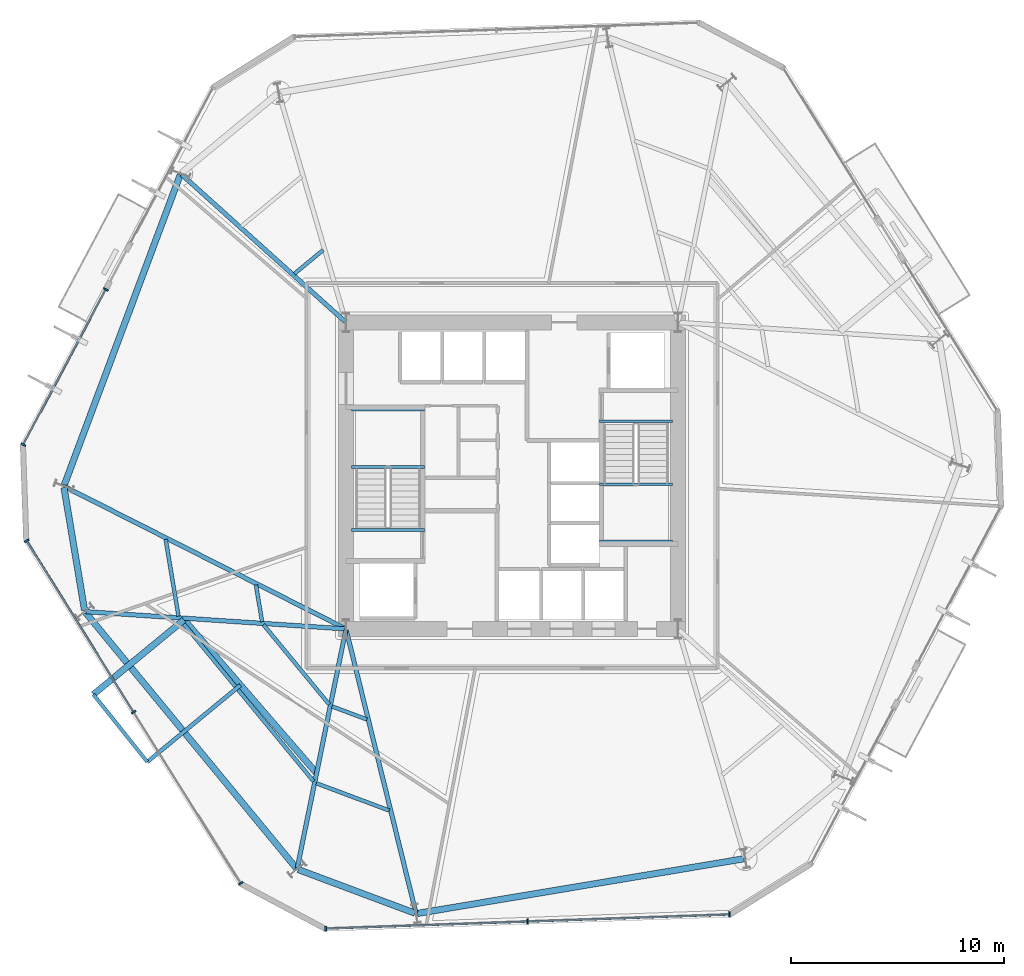
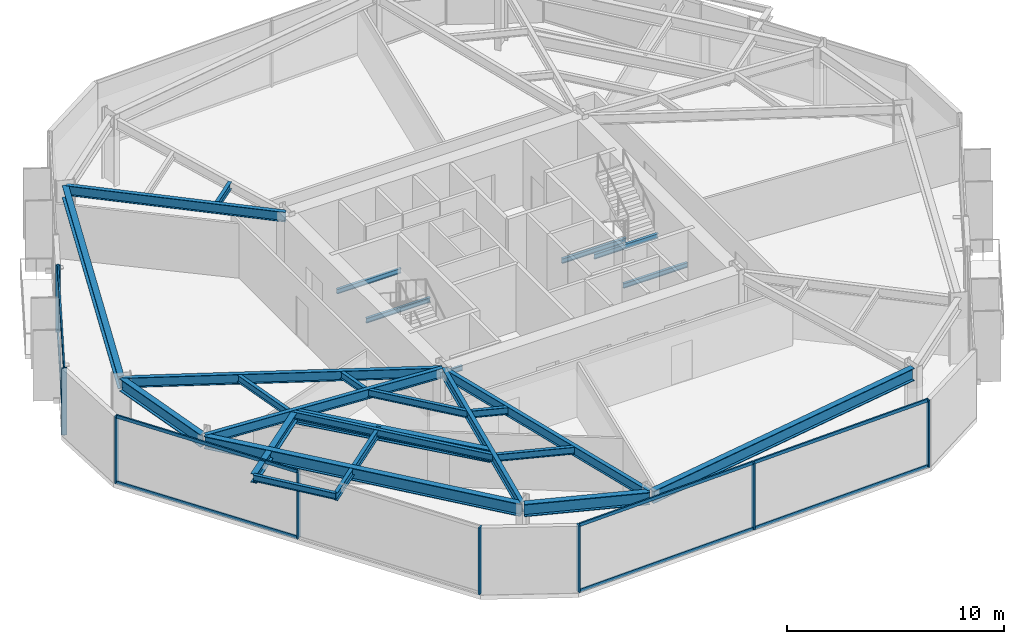
# One storey, part 2 of 10: 27 beams, 16 members, 3 elements without a shape of their own.
"""IFC4 building model written with IfcOpenShell, lengths in metres."""

from ifc_helpers import new_model, si_unit, direction, frame, origin, origin_2d, place, context, subcontext, project, spatial, rectangle, i_section, extrude, material, layer, layer_set, material_profile, profile_set, type_object, element, aggregate, save


model = new_model("IFC4")

# Units and contexts
model_context = context("Model", 3, precision=1e-05, world=origin(), true_north=direction((0.0, 1.0)))
body_context = subcontext(model_context, "Body", "Model", "MODEL_VIEW")
ifc_project = project(units=[si_unit("LENGTHUNIT", "METRE"), si_unit("AREAUNIT", "SQUARE_METRE"), si_unit("VOLUMEUNIT", "CUBIC_METRE"), si_unit("PLANEANGLEUNIT", "RADIAN"), si_unit("MASSUNIT", "GRAM", prefix="KILO")], contexts=[model_context])

# Site, building, storey
site_placement = place(None, origin())
site = spatial("IfcSite", under=ifc_project, at=site_placement, CompositionType="ELEMENT")
building_placement = place(site_placement, origin())
building = spatial("IfcBuilding", under=site, at=building_placement, Name="Kranzbogen Civic Tower", CompositionType="ELEMENT")
storey_placement = place(building_placement, frame((0.0, 0.0, 28.0)))
storey = spatial("IfcBuildingStorey", under=building, at=storey_placement, Name="L06", CompositionType="ELEMENT", Elevation=28.0)

# Beam
ifc_material_1 = material(Name="Steel S355", Category="steel")
ifc_material_profile_1 = material_profile(ifc_material_1, i_section(OverallWidth=0.18994140625, OverallDepth=0.449951171875, WebThickness=0.009521484375, FlangeThickness=0.0146484375, at=origin_2d()), Name="IPE 450")
ifc_profile_set_1 = profile_set([ifc_material_profile_1], Name="Steel S355")
beam_type_1 = type_object("IfcBeamType", Name="Braced Terrace Edge Beam IPE 450", PredefinedType="BEAM", material=ifc_profile_set_1)
beam_1_placement = place(storey_placement, frame((12.240966796875, 15.159912109375, 3.52490234375), z_axis=(-0.77159944291, -0.636108716889, 0.0), x_axis=(0.636108716889, -0.77159944291, 0.0)))
element("IfcBeam", 1, at=beam_1_placement, inside=storey, type_object=beam_type_1, Name="L07 back-spanned terrace beam L07-TB1-2", PredefinedType="BEAM", context=body_context, shape_type="SweptSolid", body=[
    extrude(i_section(OverallWidth=0.18994140625, OverallDepth=0.449951171875, WebThickness=0.009521484375, FlangeThickness=0.0146484375, at=origin_2d()), origin(), (0.0, 0.0, 1.0), 5.668701171875),
])

# Curtain wall, members
ifc_material_2 = material(Name="Pale Anodised Aluminium", Category="aluminium")
ifc_layer = layer(ifc_material_2, 0.219970703125, Name="Pale Anodised Aluminium")
ifc_layer_set = layer_set([ifc_layer], Name="Pale Anodised Aluminium")
curtain_wall_type = type_object("IfcCurtainWallType", Name="Zone 1 Stick Curtain Wall System CW-02", PredefinedType="USERDEFINED", material=ifc_layer_set)
curtain_wall_1_placement = place(storey_placement, origin())
curtain_wall_1 = element("IfcCurtainWall", 2, at=curtain_wall_1_placement, inside=storey, type_object=curtain_wall_type, Name="L06 curtain wall CW-L06-F3-S2", ObjectType="STICK CURTAIN WALL", PredefinedType="USERDEFINED")
ifc_material_profile_2 = material_profile(ifc_material_2, rectangle(XDim=0.080078125, YDim=0.239990234375, at=origin_2d()), Name="ALU-M 80x240")
ifc_profile_set_2 = profile_set([ifc_material_profile_2], Name="Pale Anodised Aluminium")
member_type_1 = type_object("IfcMemberType", Name="Curtain Wall Mullion ALU-M 80x240", PredefinedType="MULLION", material=ifc_profile_set_2)
member_1_placement = place(storey_placement, frame((5.916015625, 33.75341796875, 0.0), z_axis=(0.0, 0.0, 1.0), x_axis=(-0.469433533878, -0.882967812137, 0.0)))
member_1 = element("IfcMember", 3, at=member_1_placement, type_object=member_type_1, Name="CW-02 mullion 1", PredefinedType="MULLION", context=body_context, shape_type="SweptSolid", body=[
    extrude(rectangle(XDim=0.080078125, YDim=0.239990234375, at=origin_2d()), origin(), (0.0, 0.0, 1.0), 3.760009765625),
])
member_2_placement = place(storey_placement, frame((2.0390625, 26.46142578125, 0.0), z_axis=(0.0, 0.0, 1.0), x_axis=(-0.469433533878, -0.882967812137, 0.0)))
member_2 = element("IfcMember", 4, at=member_2_placement, type_object=member_type_1, Name="CW-02 mullion 2", PredefinedType="MULLION", context=body_context, shape_type="SweptSolid", body=[
    extrude(rectangle(XDim=0.080078125, YDim=0.239990234375, at=origin_2d()), origin(), (0.0, 0.0, 1.0), 3.760009765625),
])

curtain_wall_2_placement = place(storey_placement, origin())
curtain_wall_2 = element("IfcCurtainWall", 5, at=curtain_wall_2_placement, inside=storey, type_object=curtain_wall_type, Name="L06 curtain wall CW-L06-F4", ObjectType="STICK CURTAIN WALL", PredefinedType="USERDEFINED")
member_3_placement = place(storey_placement, frame((2.19677734375, 21.939453125, 0.0), z_axis=(0.0, 0.0, 1.0), x_axis=(0.529923389034, -0.848045518681, 0.0)))
member_3 = element("IfcMember", 6, at=member_3_placement, type_object=member_type_1, Name="CW-02 mullion 1", PredefinedType="MULLION", context=body_context, shape_type="SweptSolid", body=[
    extrude(rectangle(XDim=0.080078125, YDim=0.239990234375, at=origin_2d()), origin(), (0.0, 0.0, 1.0), 3.760009765625),
])
member_4_placement = place(storey_placement, frame((7.22509765625, 13.89306640625, 0.0), z_axis=(0.0, 0.0, 1.0), x_axis=(0.529923389034, -0.848045518681, 0.0)))
member_4 = element("IfcMember", 7, at=member_4_placement, type_object=member_type_1, Name="CW-02 mullion 2", PredefinedType="MULLION", context=body_context, shape_type="SweptSolid", body=[
    extrude(rectangle(XDim=0.080078125, YDim=0.239990234375, at=origin_2d()), origin(), (0.0, 0.0, 1.0), 3.760009765625),
])
member_5_placement = place(storey_placement, frame((12.253173828125, 5.846435546875, 0.0), z_axis=(0.0, 0.0, 1.0), x_axis=(0.529923389034, -0.848045518681, 0.0)))
member_5 = element("IfcMember", 8, at=member_5_placement, type_object=member_type_1, Name="CW-02 mullion 3", PredefinedType="MULLION", context=body_context, shape_type="SweptSolid", body=[
    extrude(rectangle(XDim=0.080078125, YDim=0.239990234375, at=origin_2d()), origin(), (0.0, 0.0, 1.0), 3.760009765625),
])

curtain_wall_3_placement = place(storey_placement, origin())
curtain_wall_3 = element("IfcCurtainWall", 9, at=curtain_wall_3_placement, inside=storey, type_object=curtain_wall_type, Name="L06 curtain wall CW-L06-F5", ObjectType="STICK CURTAIN WALL", PredefinedType="USERDEFINED")
member_6_placement = place(storey_placement, frame((16.248046875, 3.720947265625, 0.0), z_axis=(0.0, 0.0, 1.0), x_axis=(0.999389796064, 0.034929006913, 0.0)))
member_6 = element("IfcMember", 10, at=member_6_placement, type_object=member_type_1, Name="CW-02 mullion 1", PredefinedType="MULLION", context=body_context, shape_type="SweptSolid", body=[
    extrude(rectangle(XDim=0.080078125, YDim=0.239990234375, at=origin_2d()), origin(), (0.0, 0.0, 1.0), 3.760009765625),
])
member_7_placement = place(storey_placement, frame((25.7314453125, 4.052490234375, 0.0), z_axis=(0.0, 0.0, 1.0), x_axis=(0.999389796064, 0.034929006913, 0.0)))
member_7 = element("IfcMember", 11, at=member_7_placement, type_object=member_type_1, Name="CW-02 mullion 2", PredefinedType="MULLION", context=body_context, shape_type="SweptSolid", body=[
    extrude(rectangle(XDim=0.080078125, YDim=0.239990234375, at=origin_2d()), origin(), (0.0, 0.0, 1.0), 3.760009765625),
])
member_8_placement = place(storey_placement, frame((35.215087890625, 4.384033203125, 0.0), z_axis=(0.0, 0.0, 1.0), x_axis=(0.999389796064, 0.034929006913, 0.0)))
member_8 = element("IfcMember", 12, at=member_8_placement, type_object=member_type_1, Name="CW-02 mullion 3", PredefinedType="MULLION", context=body_context, shape_type="SweptSolid", body=[
    extrude(rectangle(XDim=0.080078125, YDim=0.239990234375, at=origin_2d()), origin(), (0.0, 0.0, 1.0), 3.760009765625),
])

# Member
ifc_material_profile_3 = material_profile(ifc_material_2, rectangle(XDim=0.080078125, YDim=0.179931640625, at=origin_2d()), Name="ALU-T 80x180")
ifc_profile_set_3 = profile_set([ifc_material_profile_3], Name="Pale Anodised Aluminium")
member_type_2 = type_object("IfcMemberType", Name="Curtain Wall Transom ALU-T 80x180", PredefinedType="USERDEFINED", material=ifc_profile_set_3)
member_9_placement = place(storey_placement, frame((5.90185546875, 33.72705078125, 0.030029296875), z_axis=(-0.469431716395, -0.882968778408, 0.0), x_axis=(0.882968778408, -0.469431716395, 0.0)))
member_9 = element("IfcMember", 13, at=member_9_placement, type_object=member_type_2, Name="CW-02 transom 1.1", ObjectType="TRANSOM", PredefinedType="USERDEFINED", context=body_context, shape_type="SweptSolid", body=[
    extrude(rectangle(XDim=0.080078125, YDim=0.179931640625, at=origin_2d()), origin(), (0.0, 0.0, 1.0), 8.198486328125),
])

member_10_placement = place(storey_placement, frame((5.90185546875, 33.72705078125, 3.72998046875), z_axis=(-0.469431716395, -0.882968778408, 0.0), x_axis=(0.882968778408, -0.469431716395, 0.0)))
member_10 = element("IfcMember", 14, at=member_10_placement, type_object=member_type_2, Name="CW-02 transom 1.2", ObjectType="TRANSOM", PredefinedType="USERDEFINED", context=body_context, shape_type="SweptSolid", body=[
    extrude(rectangle(XDim=0.080078125, YDim=0.179931640625, at=origin_2d()), origin(), (0.0, 0.0, 1.0), 8.198486328125),
])

aggregate(curtain_wall_1, [member_1, member_2, member_9, member_10])

member_11_placement = place(storey_placement, frame((2.212890625, 21.9140625, 0.030029296875), z_axis=(0.529910487583, -0.848053580353, 0.0), x_axis=(0.848053580353, 0.529910487583, 0.0)))
member_11 = element("IfcMember", 15, at=member_11_placement, type_object=member_type_2, Name="CW-02 transom 1.1", ObjectType="TRANSOM", PredefinedType="USERDEFINED", context=body_context, shape_type="SweptSolid", body=[
    extrude(rectangle(XDim=0.080078125, YDim=0.179931640625, at=origin_2d()), origin(), (0.0, 0.0, 1.0), 9.42822265625),
])

member_12_placement = place(storey_placement, frame((2.212890625, 21.9140625, 3.72998046875), z_axis=(0.529910487583, -0.848053580353, 0.0), x_axis=(0.848053580353, 0.529910487583, 0.0)))
member_12 = element("IfcMember", 16, at=member_12_placement, type_object=member_type_2, Name="CW-02 transom 1.2", ObjectType="TRANSOM", PredefinedType="USERDEFINED", context=body_context, shape_type="SweptSolid", body=[
    extrude(rectangle(XDim=0.080078125, YDim=0.179931640625, at=origin_2d()), origin(), (0.0, 0.0, 1.0), 9.42822265625),
])

aggregate(curtain_wall_2, [member_3, member_4, member_5, member_11, member_12])

member_13_placement = place(storey_placement, frame((16.278076171875, 3.72216796875, 0.030029296875), z_axis=(0.999389807797, 0.034928671193, 0.0), x_axis=(-0.034928671193, 0.999389807797, 0.0)))
member_13 = element("IfcMember", 17, at=member_13_placement, type_object=member_type_2, Name="CW-02 transom 1.1", ObjectType="TRANSOM", PredefinedType="USERDEFINED", context=body_context, shape_type="SweptSolid", body=[
    extrude(rectangle(XDim=0.080078125, YDim=0.179931640625, at=origin_2d()), origin(), (0.0, 0.0, 1.0), 9.42919921875),
])

member_14_placement = place(storey_placement, frame((16.278076171875, 3.72216796875, 3.72998046875), z_axis=(0.999389807797, 0.034928671193, 0.0), x_axis=(-0.034928671193, 0.999389807797, 0.0)))
member_14 = element("IfcMember", 18, at=member_14_placement, type_object=member_type_2, Name="CW-02 transom 1.2", ObjectType="TRANSOM", PredefinedType="USERDEFINED", context=body_context, shape_type="SweptSolid", body=[
    extrude(rectangle(XDim=0.080078125, YDim=0.179931640625, at=origin_2d()), origin(), (0.0, 0.0, 1.0), 9.42919921875),
])

member_15_placement = place(storey_placement, frame((25.761474609375, 4.053466796875, 0.030029296875), z_axis=(0.999389839385, 0.034927767386, 0.0), x_axis=(-0.034927767386, 0.999389839385, 0.0)))
member_15 = element("IfcMember", 19, at=member_15_placement, type_object=member_type_2, Name="CW-02 transom 2.1", ObjectType="TRANSOM", PredefinedType="USERDEFINED", context=body_context, shape_type="SweptSolid", body=[
    extrude(rectangle(XDim=0.080078125, YDim=0.179931640625, at=origin_2d()), origin(), (0.0, 0.0, 1.0), 9.429443359375),
])

member_16_placement = place(storey_placement, frame((25.761474609375, 4.053466796875, 3.72998046875), z_axis=(0.999389839385, 0.034927767386, 0.0), x_axis=(-0.034927767386, 0.999389839385, 0.0)))
member_16 = element("IfcMember", 20, at=member_16_placement, type_object=member_type_2, Name="CW-02 transom 2.2", ObjectType="TRANSOM", PredefinedType="USERDEFINED", context=body_context, shape_type="SweptSolid", body=[
    extrude(rectangle(XDim=0.080078125, YDim=0.179931640625, at=origin_2d()), origin(), (0.0, 0.0, 1.0), 9.429443359375),
])

aggregate(curtain_wall_3, [member_6, member_7, member_8, member_13, member_14, member_15, member_16])

# Beams
ifc_material_profile_4 = material_profile(ifc_material_1, i_section(OverallWidth=0.300048828125, OverallDepth=0.5, WebThickness=0.014404296875, FlangeThickness=0.028076171875, at=origin_2d()), Name="HEB 500")
ifc_profile_set_4 = profile_set([ifc_material_profile_4], Name="Steel S355")
beam_type_2 = type_object("IfcBeamType", Name="Perimeter Tube Spandrel Beam HEB 500", PredefinedType="SPANDREL", material=ifc_profile_set_4)
beam_2_placement = place(storey_placement, frame((9.589111328125, 18.22802734375, 3.5), z_axis=(-0.77160418619, -0.636102963249, 0.0), x_axis=(0.636102963249, -0.77160418619, 0.0)))
element("IfcBeam", 21, at=beam_2_placement, inside=storey, type_object=beam_type_2, Name="L07 back-spanned terrace beam L07-TB1-1", PredefinedType="SPANDREL", context=body_context, shape_type="SweptSolid", body=[
    extrude(i_section(OverallWidth=0.300048828125, OverallDepth=0.5, WebThickness=0.014404296875, FlangeThickness=0.028076171875, at=origin_2d()), origin(), (0.0, 0.0, 1.0), 5.513427734375),
])
ifc_material_profile_5 = material_profile(ifc_material_1, i_section(OverallWidth=0.300048828125, OverallDepth=0.699951171875, WebThickness=0.01708984375, FlangeThickness=0.031982421875, at=origin_2d()), Name="HEB 700")
ifc_profile_set_5 = profile_set([ifc_material_profile_5], Name="Steel S355")
beam_type_3 = type_object("IfcBeamType", Name="Perimeter Tube Spandrel Beam HEB 700", PredefinedType="SPANDREL", material=ifc_profile_set_5)
beam_3_placement = place(storey_placement, frame((3.952880859375, 24.445068359375, 3.409912109375), z_axis=(0.164913116942, -0.986308097838, 0.0), x_axis=(0.986308097838, 0.164913116942, 0.0)))
element("IfcBeam", 22, at=beam_3_placement, inside=storey, type_object=beam_type_3, Name="L06 perimeter spandrel beam 01", PredefinedType="SPANDREL", context=body_context, shape_type="SweptSolid", body=[
    extrude(i_section(OverallWidth=0.300048828125, OverallDepth=0.699951171875, WebThickness=0.01708984375, FlangeThickness=0.031982421875, at=origin_2d()), origin(), (0.0, 0.0, 1.0), 5.85205078125),
])
beam_4_placement = place(storey_placement, frame((4.966064453125, 18.568115234375, 3.409912109375), z_axis=(0.636074572579, -0.771627590304, 0.0), x_axis=(0.771627590304, 0.636074572579, 0.0)))
element("IfcBeam", 23, at=beam_4_placement, inside=storey, type_object=beam_type_3, Name="L06 perimeter spandrel beam 02", PredefinedType="SPANDREL", context=body_context, shape_type="SweptSolid", body=[
    extrude(i_section(OverallWidth=0.300048828125, OverallDepth=0.699951171875, WebThickness=0.01708984375, FlangeThickness=0.031982421875, at=origin_2d()), origin(), (0.0, 0.0, 1.0), 15.5595703125),
])
beam_5_placement = place(storey_placement, frame((14.95703125, 6.4951171875, 3.409912109375), z_axis=(0.936647646965, -0.350273015568, 0.0), x_axis=(0.350273015568, 0.936647646965, 0.0)))
element("IfcBeam", 24, at=beam_5_placement, inside=storey, type_object=beam_type_3, Name="L06 perimeter spandrel beam 03", PredefinedType="SPANDREL", context=body_context, shape_type="SweptSolid", body=[
    extrude(i_section(OverallWidth=0.300048828125, OverallDepth=0.699951171875, WebThickness=0.01708984375, FlangeThickness=0.031982421875, at=origin_2d()), origin(), (0.0, 0.0, 1.0), 5.852783203125),
])
beam_6_placement = place(storey_placement, frame((20.553955078125, 4.43408203125, 3.409912109375), z_axis=(0.986285563243, 0.165047834697, 0.0), x_axis=(-0.165047834697, 0.986285563243, 0.0)))
element("IfcBeam", 25, at=beam_6_placement, inside=storey, type_object=beam_type_3, Name="L06 perimeter spandrel beam 04", PredefinedType="SPANDREL", context=body_context, shape_type="SweptSolid", body=[
    extrude(i_section(OverallWidth=0.300048828125, OverallDepth=0.699951171875, WebThickness=0.01708984375, FlangeThickness=0.031982421875, at=origin_2d()), origin(), (0.0, 0.0, 1.0), 15.558349609375),
])
beam_7_placement = place(storey_placement, frame((9.412109375, 39.133056640625, 3.409912109375), z_axis=(-0.350172267932, -0.936685316833, 0.0), x_axis=(0.936685316833, -0.350172267932, 0.0)))
element("IfcBeam", 26, at=beam_7_placement, inside=storey, type_object=beam_type_3, Name="L06 perimeter spandrel beam 12", PredefinedType="SPANDREL", context=body_context, shape_type="SweptSolid", body=[
    extrude(i_section(OverallWidth=0.300048828125, OverallDepth=0.699951171875, WebThickness=0.01708984375, FlangeThickness=0.031982421875, at=origin_2d()), origin(), (0.0, 0.0, 1.0), 15.55810546875),
])
beam_8_placement = place(storey_placement, frame((9.51806640625, 18.31005859375, 3.39990234375), z_axis=(0.654072384898, -0.75643196344, 0.0), x_axis=(0.75643196344, 0.654072384898, 0.0)))
element("IfcBeam", 27, at=beam_8_placement, inside=storey, type_object=beam_type_3, Name="L07 balcony back-span header girder L07-TB1", PredefinedType="SPANDREL", context=body_context, shape_type="SweptSolid", body=[
    extrude(i_section(OverallWidth=0.300048828125, OverallDepth=0.699951171875, WebThickness=0.01708984375, FlangeThickness=0.031982421875, at=origin_2d()), origin(), (0.0, 0.0, 1.0), 9.633544921875),
])
ifc_material_profile_6 = material_profile(ifc_material_1, i_section(OverallWidth=0.2099609375, OverallDepth=0.550048828125, WebThickness=0.010986328125, FlangeThickness=0.01708984375, at=origin_2d()), Name="IPE 550")
ifc_profile_set_6 = profile_set([ifc_material_profile_6], Name="Steel S355")
beam_type_4 = type_object("IfcBeamType", Name="Radial Tower Floor Girder IPE 550", PredefinedType="BEAM", material=ifc_profile_set_6)
beam_9_placement = place(storey_placement, frame((3.9970703125, 24.47705078125, 3.485107421875), z_axis=(0.892363219254, -0.451317942168, 0.0), x_axis=(0.451317942168, 0.892363219254, 0.0)))
element("IfcBeam", 28, at=beam_9_placement, inside=storey, type_object=beam_type_4, Name="L06 radial floor girder 01", PredefinedType="BEAM", context=body_context, shape_type="SweptSolid", body=[
    extrude(i_section(OverallWidth=0.2099609375, OverallDepth=0.550048828125, WebThickness=0.010986328125, FlangeThickness=0.01708984375, at=origin_2d()), origin(), (0.0, 0.0, 1.0), 14.73486328125),
])
beam_10_placement = place(storey_placement, frame((4.988037109375, 18.610107421875, 3.485107421875), z_axis=(0.99780674843, -0.066194356156, 0.0), x_axis=(0.066194356156, 0.99780674843, 0.0)))
element("IfcBeam", 29, at=beam_10_placement, inside=storey, type_object=beam_type_4, Name="L06 radial floor girder 02", PredefinedType="BEAM", context=body_context, shape_type="SweptSolid", body=[
    extrude(i_section(OverallWidth=0.2099609375, OverallDepth=0.550048828125, WebThickness=0.010986328125, FlangeThickness=0.01708984375, at=origin_2d()), origin(), (0.0, 0.0, 1.0), 12.178466796875),
])
beam_11_placement = place(storey_placement, frame((14.9130859375, 6.574951171875, 3.485107421875), z_axis=(0.199633433694, 0.979870650725, 0.0), x_axis=(-0.979870650725, 0.199633433694, 0.0)))
element("IfcBeam", 30, at=beam_11_placement, inside=storey, type_object=beam_type_4, Name="L06 radial floor girder 03", PredefinedType="BEAM", context=body_context, shape_type="SweptSolid", body=[
    extrude(i_section(OverallWidth=0.2099609375, OverallDepth=0.550048828125, WebThickness=0.010986328125, FlangeThickness=0.01708984375, at=origin_2d()), origin(), (0.0, 0.0, 1.0), 11.3955078125),
])
beam_12_placement = place(storey_placement, frame((20.48095703125, 4.48193359375, 3.485107421875), z_axis=(-0.239215348776, 0.970966537482, 0.0), x_axis=(-0.970966537482, -0.239215348776, 0.0)))
element("IfcBeam", 31, at=beam_12_placement, inside=storey, type_object=beam_type_4, Name="L06 radial floor girder 04", PredefinedType="BEAM", context=body_context, shape_type="SweptSolid", body=[
    extrude(i_section(OverallWidth=0.2099609375, OverallDepth=0.550048828125, WebThickness=0.010986328125, FlangeThickness=0.01708984375, at=origin_2d()), origin(), (0.0, 0.0, 1.0), 13.656494140625),
])
beam_13_placement = place(storey_placement, frame((9.47802734375, 39.14892578125, 3.485107421875), z_axis=(0.743311776894, -0.668945141496, 0.0), x_axis=(0.668945141496, 0.743311776894, 0.0)))
element("IfcBeam", 32, at=beam_13_placement, inside=storey, type_object=beam_type_4, Name="L06 radial floor girder 12", PredefinedType="BEAM", context=body_context, shape_type="SweptSolid", body=[
    extrude(i_section(OverallWidth=0.2099609375, OverallDepth=0.550048828125, WebThickness=0.010986328125, FlangeThickness=0.01708984375, at=origin_2d()), origin(), (0.0, 0.0, 1.0), 10.328125),
])
ifc_material_profile_7 = material_profile(ifc_material_1, i_section(OverallWidth=0.169921875, OverallDepth=0.360107421875, WebThickness=0.008056640625, FlangeThickness=0.0126953125, at=origin_2d()), Name="IPE 360")
ifc_profile_set_7 = profile_set([ifc_material_profile_7], Name="Steel S355")
beam_type_5 = type_object("IfcBeamType", Name="Secondary Composite Floor Joist IPE 360", PredefinedType="JOIST", material=ifc_profile_set_7)
beam_14_placement = place(storey_placement, frame((5.3349609375, 14.720947265625, 3.570068359375), z_axis=(0.6244527032, -0.781062623268, 0.0), x_axis=(0.781062623268, 0.6244527032, 0.0)))
element("IfcBeam", 33, at=beam_14_placement, inside=storey, type_object=beam_type_5, Name="L07 terrace outer edge trimmer L07-TB1", PredefinedType="JOIST", context=body_context, shape_type="SweptSolid", body=[
    extrude(i_section(OverallWidth=0.169921875, OverallDepth=0.360107421875, WebThickness=0.008056640625, FlangeThickness=0.0126953125, at=origin_2d()), origin(), (0.0, 0.0, 1.0), 4.0546875),
])
ifc_material_profile_8 = material_profile(ifc_material_1, i_section(OverallWidth=0.179931640625, OverallDepth=0.39990234375, WebThickness=0.008544921875, FlangeThickness=0.013427734375, at=origin_2d()), Name="IPE 400")
ifc_profile_set_8 = profile_set([ifc_material_profile_8], Name="Steel S355")
beam_type_6 = type_object("IfcBeamType", Name="Secondary Composite Floor Joist IPE 400", PredefinedType="JOIST", material=ifc_profile_set_8)
beam_15_placement = place(storey_placement, frame((8.72900390625, 22.011962890625, 3.56005859375), z_axis=(0.164928678379, -0.986305495802, 0.0), x_axis=(0.986305495802, 0.164928678379, 0.0)))
element("IfcBeam", 34, at=beam_15_placement, inside=storey, type_object=beam_type_6, Name="L06 secondary floor joist 1.01", PredefinedType="JOIST", context=body_context, shape_type="SweptSolid", body=[
    extrude(i_section(OverallWidth=0.179931640625, OverallDepth=0.39990234375, WebThickness=0.008544921875, FlangeThickness=0.013427734375, at=origin_2d()), origin(), (0.0, 0.0, 1.0), 3.662109375),
])
beam_16_placement = place(storey_placement, frame((12.970947265625, 19.865966796875, 3.56005859375), z_axis=(0.165077224104, -0.986280644686, 0.0), x_axis=(0.986280644686, 0.165077224104, 0.0)))
element("IfcBeam", 35, at=beam_16_placement, inside=storey, type_object=beam_type_6, Name="L06 secondary floor joist 2.01", PredefinedType="JOIST", context=body_context, shape_type="SweptSolid", body=[
    extrude(i_section(OverallWidth=0.179931640625, OverallDepth=0.39990234375, WebThickness=0.008544921875, FlangeThickness=0.013427734375, at=origin_2d()), origin(), (0.0, 0.0, 1.0), 1.7509765625),
])
beam_17_placement = place(storey_placement, frame((9.39697265625, 18.259033203125, 3.56005859375), z_axis=(0.636094561772, -0.771611112209, 0.0), x_axis=(0.771611112209, 0.636094561772, 0.0)))
element("IfcBeam", 36, at=beam_17_placement, inside=storey, type_object=beam_type_6, Name="L06 secondary floor joist 1.02", PredefinedType="JOIST", context=body_context, shape_type="SweptSolid", body=[
    extrude(i_section(OverallWidth=0.179931640625, OverallDepth=0.39990234375, WebThickness=0.008544921875, FlangeThickness=0.013427734375, at=origin_2d()), origin(), (0.0, 0.0, 1.0), 9.874267578125),
])
beam_18_placement = place(storey_placement, frame((13.323974609375, 17.9990234375, 3.56005859375), z_axis=(0.636012010413, -0.771679157818, 0.0), x_axis=(0.771679157818, 0.636012010413, 0.0)))
element("IfcBeam", 37, at=beam_18_placement, inside=storey, type_object=beam_type_6, Name="L06 secondary floor joist 2.02", PredefinedType="JOIST", context=body_context, shape_type="SweptSolid", body=[
    extrude(i_section(OverallWidth=0.179931640625, OverallDepth=0.39990234375, WebThickness=0.008544921875, FlangeThickness=0.013427734375, at=origin_2d()), origin(), (0.0, 0.0, 1.0), 4.85693359375),
])
beam_19_placement = place(storey_placement, frame((15.803955078125, 10.550048828125, 3.56005859375), z_axis=(0.936622008794, -0.350341565678, 0.0), x_axis=(0.350341565678, 0.936622008794, 0.0)))
element("IfcBeam", 38, at=beam_19_placement, inside=storey, type_object=beam_type_6, Name="L06 secondary floor joist 1.03", PredefinedType="JOIST", context=body_context, shape_type="SweptSolid", body=[
    extrude(i_section(OverallWidth=0.179931640625, OverallDepth=0.39990234375, WebThickness=0.008544921875, FlangeThickness=0.013427734375, at=origin_2d()), origin(), (0.0, 0.0, 1.0), 3.662109375),
])
beam_20_placement = place(storey_placement, frame((16.5390625, 14.160888671875, 3.56005859375), z_axis=(0.936735458815, -0.350038112495, 0.0), x_axis=(0.350038112495, 0.936735458815, 0.0)))
element("IfcBeam", 39, at=beam_20_placement, inside=storey, type_object=beam_type_6, Name="L06 secondary floor joist 2.03", PredefinedType="JOIST", context=body_context, shape_type="SweptSolid", body=[
    extrude(i_section(OverallWidth=0.179931640625, OverallDepth=0.39990234375, WebThickness=0.008544921875, FlangeThickness=0.013427734375, at=origin_2d()), origin(), (0.0, 0.0, 1.0), 1.750732421875),
])
beam_21_placement = place(storey_placement, frame((16.1279296875, 35.60107421875, 3.56005859375), z_axis=(-0.771773324836, -0.635897739477, 0.0), x_axis=(0.635897739477, -0.771773324836, 0.0)))
element("IfcBeam", 40, at=beam_21_placement, inside=storey, type_object=beam_type_6, Name="L06 secondary floor joist 2.11", PredefinedType="JOIST", context=body_context, shape_type="SweptSolid", body=[
    extrude(i_section(OverallWidth=0.179931640625, OverallDepth=0.39990234375, WebThickness=0.008544921875, FlangeThickness=0.013427734375, at=origin_2d()), origin(), (0.0, 0.0, 1.0), 1.751953125),
])
ifc_material_profile_9 = material_profile(ifc_material_1, i_section(OverallWidth=0.135009765625, OverallDepth=0.27001953125, WebThickness=0.006591796875, FlangeThickness=0.01025390625, at=origin_2d()), Name="IPE 270")
ifc_profile_set_9 = profile_set([ifc_material_profile_9], Name="Steel S355")
beam_type_7 = type_object("IfcBeamType", Name="Stair Landing Support Beam IPE 270", PredefinedType="JOIST", material=ifc_profile_set_9)
for number, where, z_axis, x_axis, name in (
    (41, (20.8798828125, 22.43994140625, -0.375), (-1.0, 0.0, 0.0), (0.0, -1.0, 0.0), "L06 ST-T1 stair floor header beam"),
    (42, (20.8798828125, 25.39990234375, 1.6650390625), (-1.0, 0.0, 0.0), (0.0, -1.0, 0.0), "L06 ST-T1 landing support beam 1.1"),
    (43, (20.8798828125, 28.10009765625, 1.6650390625), (-1.0, 0.0, 0.0), (0.0, -1.0, 0.0), "L06 ST-T1 landing support beam 1.2"),
    (44, (29.1201171875, 27.56005859375, -0.375), (1.0, 0.0, 0.0), (0.0, 1.0, 0.0), "L06 ST-T2 stair floor header beam"),
    (45, (29.1201171875, 24.60009765625, 1.6650390625), (1.0, 0.0, 0.0), (0.0, 1.0, 0.0), "L06 ST-T2 landing support beam 1.1"),
    (46, (29.1201171875, 21.89990234375, 1.6650390625), (1.0, 0.0, 0.0), (0.0, 1.0, 0.0), "L06 ST-T2 landing support beam 1.2"),
):
    element("IfcBeam", number, at=place(storey_placement, frame(where, z_axis=z_axis, x_axis=x_axis)), inside=storey, type_object=beam_type_7, Name=name, PredefinedType="JOIST", context=body_context, shape_type="SweptSolid", body=[
        extrude(i_section(OverallWidth=0.135009765625, OverallDepth=0.27001953125, WebThickness=0.006591796875, FlangeThickness=0.01025390625, at=origin_2d()), origin(), (0.0, 0.0, 1.0), 3.409912109375),
    ])

save(model, "model.ifc")
